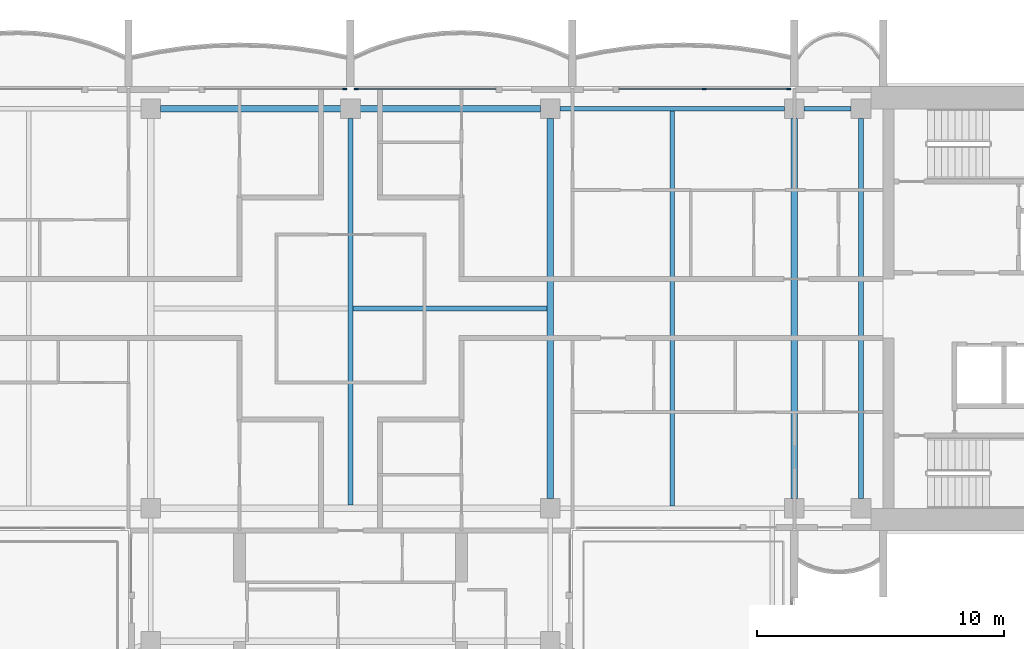
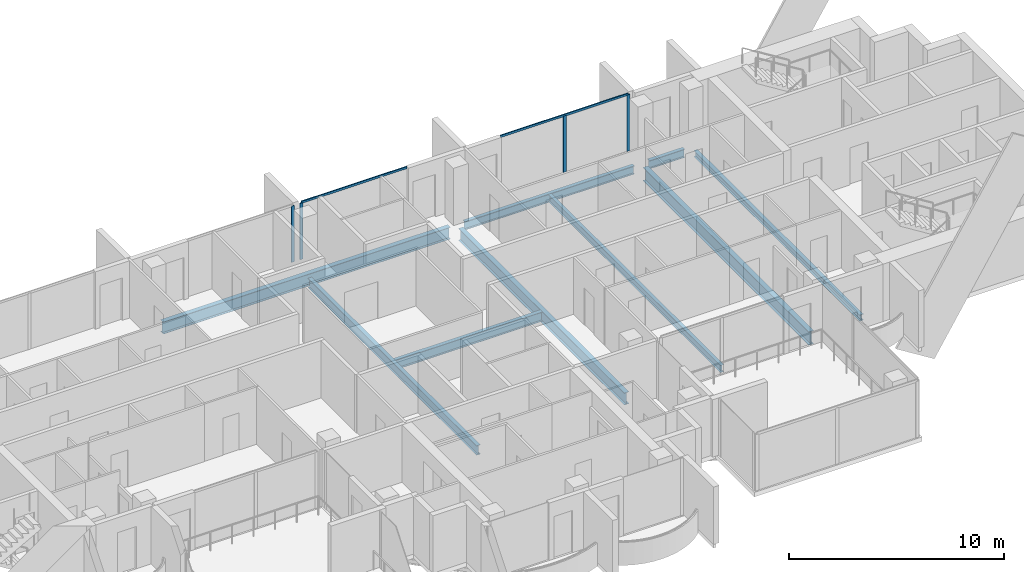
# One storey, part 4 of 16: 9 beams, 6 members, 3 elements without a shape of their own.
"""IFC4 building model written with IfcOpenShell, lengths in metres."""

from ifc_helpers import new_model, si_unit, direction, frame, origin, origin_2d, place, context, subcontext, project, spatial, rectangle, i_section, extrude, material, material_profile, profile_set, type_object, element, aggregate, save


model = new_model("IFC4")

# Units and contexts
model_context = context("Model", 3, precision=1e-05, world=origin(), true_north=direction((0.0, 1.0)))
body_context = subcontext(model_context, "Body", "Model", "MODEL_VIEW")
ifc_project = project(units=[si_unit("LENGTHUNIT", "METRE"), si_unit("AREAUNIT", "SQUARE_METRE"), si_unit("VOLUMEUNIT", "CUBIC_METRE"), si_unit("PLANEANGLEUNIT", "RADIAN"), si_unit("MASSUNIT", "GRAM", prefix="KILO")], contexts=[model_context])

# Site, building, storey
site_placement = place(None, origin())
site = spatial("IfcSite", under=ifc_project, at=site_placement, CompositionType="ELEMENT")
building_placement = place(site_placement, origin())
building = spatial("IfcBuilding", under=site, at=building_placement, Name="Perihelion Cross Residences", CompositionType="ELEMENT")
storey_placement = place(building_placement, frame((0.0, 0.0, 271.0)))
storey = spatial("IfcBuildingStorey", under=building, at=storey_placement, Name="L69", CompositionType="ELEMENT", Elevation=271.0)

# Curtain wall, members
ifc_material_1 = material(Name="Bronze anodised aluminium, tinted glazing", Category="aluminium")
curtain_wall_type = type_object("IfcCurtainWallType", Name="CW1", PredefinedType="NOTDEFINED", material=ifc_material_1)
curtain_wall_1_placement = place(storey_placement, origin())
curtain_wall_1 = element("IfcCurtainWall", 1, at=curtain_wall_1_placement, inside=storey, type_object=curtain_wall_type, Name="Curtain wall CW1 L69 east side north bay 2", PredefinedType="NOTDEFINED")
ifc_material_2 = material(Name="Bronze anodised aluminium", Category="aluminium")
ifc_material_profile_1 = material_profile(ifc_material_2, rectangle(XDim=0.06005859375, YDim=0.159912109375, at=origin_2d()), Name="CW1 mullion")
ifc_profile_set_1 = profile_set([ifc_material_profile_1], Name="Bronze anodised aluminium")
member_type_1 = type_object("IfcMemberType", Name="CW1 mullion", PredefinedType="MULLION", material=ifc_profile_set_1)
member_1_placement = place(storey_placement, frame((17.77001953125, 8.89990234375, 0.0), z_axis=(0.0, 0.0, 1.0), x_axis=(0.0, -1.0, 0.0)))
member_1 = element("IfcMember", 2, at=member_1_placement, type_object=member_type_1, Name="CW1 mullion 1", PredefinedType="MULLION", context=body_context, shape_type="SweptSolid", body=[
    extrude(rectangle(XDim=0.06005859375, YDim=0.159912109375, at=origin_2d()), origin(), (0.0, 0.0, 1.0), 3.18994140625),
])
member_2_placement = place(storey_placement, frame((14.35009765625, 8.89990234375, 0.0), z_axis=(0.0, 0.0, 1.0), x_axis=(0.0, -1.0, 0.0)))
member_2 = element("IfcMember", 3, at=member_2_placement, type_object=member_type_1, Name="CW1 mullion 2", PredefinedType="MULLION", context=body_context, shape_type="SweptSolid", body=[
    extrude(rectangle(XDim=0.06005859375, YDim=0.159912109375, at=origin_2d()), origin(), (0.0, 0.0, 1.0), 3.18994140625),
])

# Curtain wall, member
curtain_wall_2_placement = place(storey_placement, origin())
curtain_wall_2 = element("IfcCurtainWall", 4, at=curtain_wall_2_placement, inside=storey, type_object=curtain_wall_type, Name="Curtain wall CW1 L69 north side east bay 1", PredefinedType="NOTDEFINED")
member_3_placement = place(storey_placement, frame((0.22998046875, 8.89990234375, 0.0), z_axis=(0.0, 0.0, 1.0), x_axis=(0.0, -1.0, 0.0)))
member_3 = element("IfcMember", 5, at=member_3_placement, type_object=member_type_1, Name="CW1 mullion 2", PredefinedType="MULLION", context=body_context, shape_type="SweptSolid", body=[
    extrude(rectangle(XDim=0.06005859375, YDim=0.159912109375, at=origin_2d()), origin(), (0.0, 0.0, 1.0), 3.18994140625),
])

curtain_wall_3_placement = place(storey_placement, origin())
curtain_wall_3 = element("IfcCurtainWall", 6, at=curtain_wall_3_placement, inside=storey, type_object=curtain_wall_type, Name="Curtain wall CW1 L69 north side east bay 2", PredefinedType="NOTDEFINED")
member_4_placement = place(storey_placement, frame((-0.22998046875, 8.89990234375, 0.0), z_axis=(0.0, 0.0, 1.0), x_axis=(0.0, -1.0, 0.0)))
member_4 = element("IfcMember", 7, at=member_4_placement, type_object=member_type_1, Name="CW1 mullion 1", PredefinedType="MULLION", context=body_context, shape_type="SweptSolid", body=[
    extrude(rectangle(XDim=0.06005859375, YDim=0.159912109375, at=origin_2d()), origin(), (0.0, 0.0, 1.0), 3.18994140625),
])
aggregate(curtain_wall_3, [member_4])

# Member
ifc_material_3 = material(Name="Bronze anodised aluminium", Category="aluminium")
ifc_material_profile_2 = material_profile(ifc_material_3, rectangle(XDim=0.06005859375, YDim=0.1201171875, at=origin_2d()), Name="CW1 transom")
ifc_profile_set_2 = profile_set([ifc_material_profile_2], Name="Bronze anodised aluminium")
member_type_2 = type_object("IfcMemberType", Name="CW1 transom", PredefinedType="USERDEFINED", material=ifc_profile_set_2)
member_5_placement = place(storey_placement, frame((17.77001953125, 8.89990234375, 3.219970703125), z_axis=(-1.0, 0.0, 0.0), x_axis=(0.0, -1.0, 0.0)))
member_5 = element("IfcMember", 8, at=member_5_placement, type_object=member_type_2, Name="CW1 head transom", ObjectType="TRANSOM", PredefinedType="USERDEFINED", context=body_context, shape_type="SweptSolid", body=[
    extrude(rectangle(XDim=0.06005859375, YDim=0.1201171875, at=origin_2d()), origin(), (0.0, 0.0, 1.0), 6.8701171875),
])

aggregate(curtain_wall_1, [member_1, member_2, member_5])

member_6_placement = place(storey_placement, frame((5.89990234375, 8.89990234375, 3.219970703125), z_axis=(-1.0, 0.0, 0.0), x_axis=(0.0, -1.0, 0.0)))
member_6 = element("IfcMember", 9, at=member_6_placement, type_object=member_type_2, Name="CW1 head transom", ObjectType="TRANSOM", PredefinedType="USERDEFINED", context=body_context, shape_type="SweptSolid", body=[
    extrude(rectangle(XDim=0.06005859375, YDim=0.1201171875, at=origin_2d()), origin(), (0.0, 0.0, 1.0), 5.669921875),
])

aggregate(curtain_wall_2, [member_3, member_6])

# Beams
ifc_material_4 = material(Name="Steel S355", Category="steel")
ifc_material_profile_3 = material_profile(ifc_material_4, i_section(OverallWidth=0.205078125, OverallDepth=0.35302734375, WebThickness=0.009521484375, FlangeThickness=0.016845703125, at=origin_2d()), Name="W360x79")
ifc_profile_set_3 = profile_set([ifc_material_profile_3], Name="Steel S355")
beam_type_1 = type_object("IfcBeamType", Name="Core edge beam W360x79", PredefinedType="BEAM", material=ifc_profile_set_3)
beam_1_placement = place(storey_placement, frame((20.699951171875, -7.699951171875, -0.426513671875), z_axis=(0.0, 1.0, 0.0), x_axis=(-1.0, 0.0, 0.0)))
element("IfcBeam", 10, at=beam_1_placement, inside=storey, type_object=beam_type_1, Name="Core edge beam TB7 L69 no. 2", PredefinedType="BEAM", context=body_context, shape_type="SweptSolid", body=[
    extrude(i_section(OverallWidth=0.205078125, OverallDepth=0.35302734375, WebThickness=0.009521484375, FlangeThickness=0.016845703125, at=origin_2d()), origin(), (0.0, 0.0, 1.0), 15.39990234375),
])
ifc_material_5 = material(Name="Steel S355", Category="steel")
ifc_material_profile_4 = material_profile(ifc_material_5, i_section(OverallWidth=0.194091796875, OverallDepth=0.469970703125, WebThickness=0.0126953125, FlangeThickness=0.0205078125, at=origin_2d()), Name="W460x106")
ifc_profile_set_4 = profile_set([ifc_material_profile_4], Name="Steel S355")
beam_type_2 = type_object("IfcBeamType", Name="Edge beam W460x106", PredefinedType="SPANDREL", material=ifc_profile_set_4)
beam_2_placement = place(storey_placement, frame((20.300048828125, 8.10009765625, -0.485107421875), z_axis=(-1.0, 0.0, 0.0), x_axis=(0.0, -1.0, 0.0)))
element("IfcBeam", 11, at=beam_2_placement, inside=storey, type_object=beam_type_2, Name="Edge beam SB5 L69 no. 10", PredefinedType="SPANDREL", context=body_context, shape_type="SweptSolid", body=[
    extrude(i_section(OverallWidth=0.194091796875, OverallDepth=0.469970703125, WebThickness=0.0126953125, FlangeThickness=0.0205078125, at=origin_2d()), origin(), (0.0, 0.0, 1.0), 1.900146484375),
])
beam_3_placement = place(storey_placement, frame((17.60009765625, 8.10009765625, -0.485107421875), z_axis=(-1.0, 0.0, 0.0), x_axis=(0.0, -1.0, 0.0)))
element("IfcBeam", 12, at=beam_3_placement, inside=storey, type_object=beam_type_2, Name="Edge beam SB5 L69 no. 9", PredefinedType="SPANDREL", context=body_context, shape_type="SweptSolid", body=[
    extrude(i_section(OverallWidth=0.194091796875, OverallDepth=0.469970703125, WebThickness=0.0126953125, FlangeThickness=0.0205078125, at=origin_2d()), origin(), (0.0, 0.0, 1.0), 9.10009765625),
])
ifc_material_6 = material(Name="Steel S355", Category="steel")
ifc_material_profile_5 = material_profile(ifc_material_6, i_section(OverallWidth=0.26708984375, OverallDepth=0.75390625, WebThickness=0.01318359375, FlangeThickness=0.01708984375, at=origin_2d()), Name="W760x147")
ifc_profile_set_5 = profile_set([ifc_material_profile_5], Name="Steel S355")
beam_type_3 = type_object("IfcBeamType", Name="Floor girder W760x147", PredefinedType="BEAM", material=ifc_profile_set_5)
beam_4_placement = place(storey_placement, frame((18.0, -7.699951171875, -0.626953125), z_axis=(0.0, 1.0, 0.0), x_axis=(-1.0, 0.0, 0.0)))
element("IfcBeam", 13, at=beam_4_placement, inside=storey, type_object=beam_type_3, Name="Girder G5 L69 no. 2", PredefinedType="BEAM", context=body_context, shape_type="SweptSolid", body=[
    extrude(i_section(OverallWidth=0.26708984375, OverallDepth=0.75390625, WebThickness=0.01318359375, FlangeThickness=0.01708984375, at=origin_2d()), origin(), (0.0, 0.0, 1.0), 15.39990234375),
])
ifc_material_7 = material(Name="Steel S355", Category="steel")
ifc_material_profile_6 = material_profile(ifc_material_7, i_section(OverallWidth=0.177978515625, OverallDepth=0.406005859375, WebThickness=0.0078125, FlangeThickness=0.0126953125, at=origin_2d()), Name="W410x60")
ifc_profile_set_6 = profile_set([ifc_material_profile_6], Name="Steel S355")
beam_type_4 = type_object("IfcBeamType", Name="Floor joist W410x60", PredefinedType="JOIST", material=ifc_profile_set_6)
beam_5_placement = place(storey_placement, frame((13.050048828125, -8.0029296875, -0.452880859375), z_axis=(0.0, 1.0, 0.0), x_axis=(-1.0, 0.0, 0.0)))
element("IfcBeam", 14, at=beam_5_placement, inside=storey, type_object=beam_type_4, Name="Joist J6 L69 no. 2", PredefinedType="JOIST", context=body_context, shape_type="SweptSolid", body=[
    extrude(i_section(OverallWidth=0.177978515625, OverallDepth=0.406005859375, WebThickness=0.0078125, FlangeThickness=0.0126953125, at=origin_2d()), origin(), (0.0, 0.0, 1.0), 16.005859375),
])
ifc_material_8 = material(Name="Steel S355", Category="steel")
ifc_material_profile_7 = material_profile(ifc_material_8, i_section(OverallWidth=0.208984375, OverallDepth=0.532958984375, WebThickness=0.01025390625, FlangeThickness=0.015625, at=origin_2d()), Name="W530x92")
ifc_profile_set_7 = profile_set([ifc_material_profile_7], Name="Steel S355")
beam_type_5 = type_object("IfcBeamType", Name="Hub cross beam W530x92", PredefinedType="BEAM", material=ifc_profile_set_7)
beam_6_placement = place(storey_placement, frame((0.0, -7.972900390625, -0.5166015625), z_axis=(0.0, 1.0, 0.0), x_axis=(-1.0, 0.0, 0.0)))
element("IfcBeam", 15, at=beam_6_placement, inside=storey, type_object=beam_type_5, Name="Hub cross beam XB5 L69 no. 1", PredefinedType="BEAM", context=body_context, shape_type="SweptSolid", body=[
    extrude(i_section(OverallWidth=0.208984375, OverallDepth=0.532958984375, WebThickness=0.01025390625, FlangeThickness=0.015625, at=origin_2d()), origin(), (0.0, 0.0, 1.0), 15.6728515625),
])
beam_7_placement = place(storey_placement, frame((0.1044921875, 0.0, -0.5166015625), z_axis=(1.0, 0.0, 0.0), x_axis=(0.0, 1.0, 0.0)))
element("IfcBeam", 16, at=beam_7_placement, inside=storey, type_object=beam_type_5, Name="Hub cross beam XB5 L69 2 no. 1", PredefinedType="BEAM", context=body_context, shape_type="SweptSolid", body=[
    extrude(i_section(OverallWidth=0.208984375, OverallDepth=0.532958984375, WebThickness=0.01025390625, FlangeThickness=0.015625, at=origin_2d()), origin(), (0.0, 0.0, 1.0), 7.868408203125),
])
ifc_material_9 = material(Name="Steel S355", Category="steel")
ifc_material_profile_8 = material_profile(ifc_material_9, i_section(OverallWidth=0.25390625, OverallDepth=0.677978515625, WebThickness=0.01171875, FlangeThickness=0.016357421875, at=origin_2d()), Name="W690x125")
ifc_profile_set_8 = profile_set([ifc_material_profile_8], Name="Steel S355")
beam_type_6 = type_object("IfcBeamType", Name="Hub ring girder W690x125", PredefinedType="BEAM", material=ifc_profile_set_8)
for number, where, z_axis, x_axis, name in (
    (17, (8.10009765625, -7.699951171875, -0.589111328125), (0.0, 1.0, 0.0), (-1.0, 0.0, 0.0), "Hub ring girder RG5 L69 no. 3"),
    (18, (7.699951171875, 8.10009765625, -0.589111328125), (-1.0, 0.0, 0.0), (0.0, -1.0, 0.0), "Hub ring girder RG5 L69 no. 4"),
):
    element("IfcBeam", number, at=place(storey_placement, frame(where, z_axis=z_axis, x_axis=x_axis)), inside=storey, type_object=beam_type_6, Name=name, PredefinedType="BEAM", context=body_context, shape_type="SweptSolid", body=[
        extrude(i_section(OverallWidth=0.25390625, OverallDepth=0.677978515625, WebThickness=0.01171875, FlangeThickness=0.016357421875, at=origin_2d()), origin(), (0.0, 0.0, 1.0), 15.39990234375),
    ])

save(model, "model.ifc")
